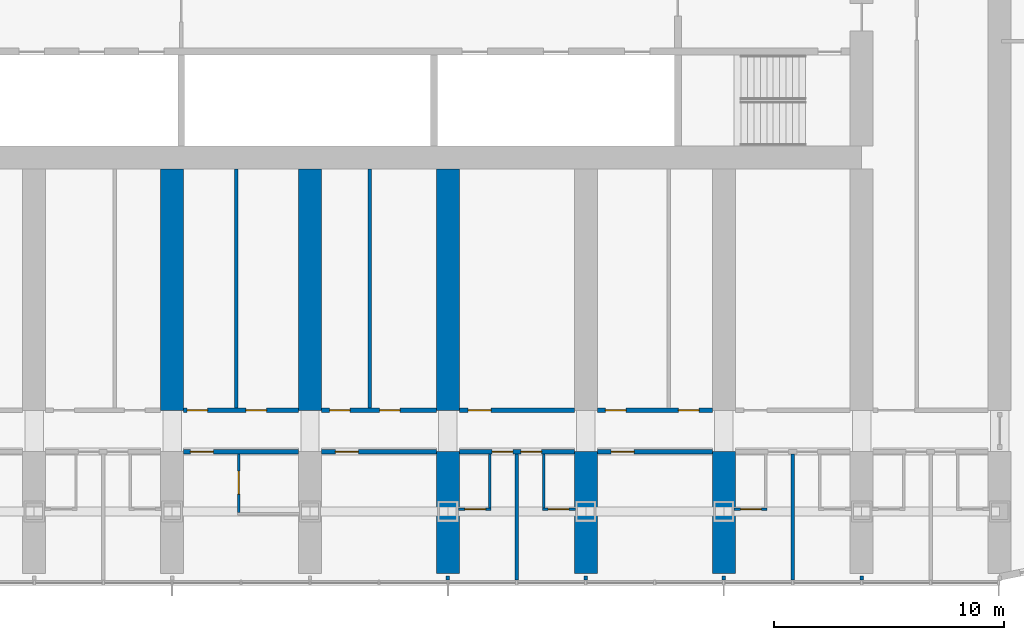
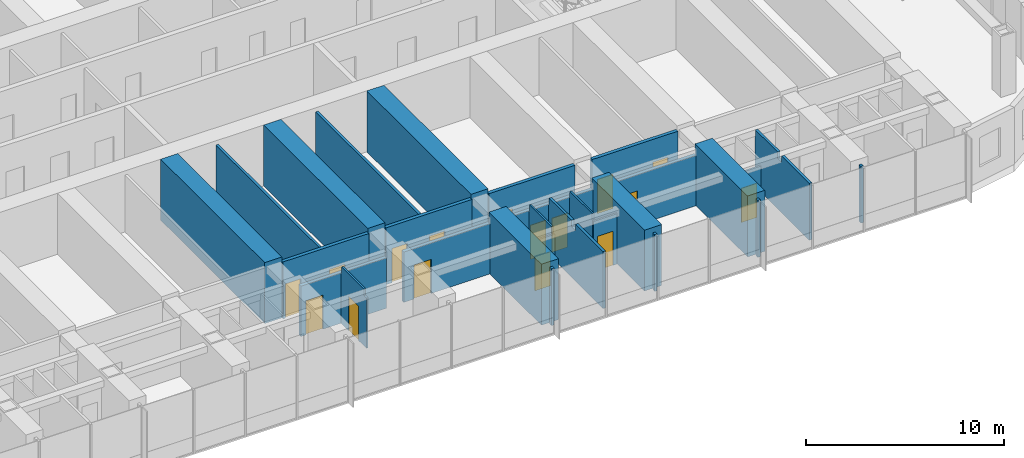
# One storey, part 14 of 28: 28 walls, 16 doors, 16 openings.
"""IFC4 building model written with IfcOpenShell, lengths in metres."""

from ifc_helpers import new_model, si_unit, direction, frame, frame_2d, origin, place, context, subcontext, project, spatial, polyline, rectangle, outline, extrude, material, layer, layer_set, type_object, element, fill, save


model = new_model("IFC4")

# Units and contexts
model_context = context("Model", 3, precision=1e-05, world=origin(), true_north=direction((0.0, 1.0)))
body_context = subcontext(model_context, "Body", "Model", "MODEL_VIEW")
ifc_project = project(units=[si_unit("LENGTHUNIT", "METRE"), si_unit("AREAUNIT", "SQUARE_METRE"), si_unit("VOLUMEUNIT", "CUBIC_METRE"), si_unit("PLANEANGLEUNIT", "RADIAN"), si_unit("MASSUNIT", "GRAM", prefix="KILO")], contexts=[model_context])

# Site, building, storey
site_placement = place(None, origin())
site = spatial("IfcSite", under=ifc_project, at=site_placement, CompositionType="ELEMENT")
building_placement = place(site_placement, origin())
building = spatial("IfcBuilding", under=site, at=building_placement, Name="Orbita Commons", CompositionType="ELEMENT")
storey_placement = place(building_placement, frame((0.0, 0.0, 23.949951171875)))
storey = spatial("IfcBuildingStorey", under=building, at=storey_placement, Name="L05", CompositionType="ELEMENT", Elevation=23.949951171875)

# Wall, opening, door
ifc_material_1 = material(Name="Concrete blockwork", Category="masonry")
ifc_layer_1 = layer(ifc_material_1, 0.199951171875)
ifc_layer_set_1 = layer_set([ifc_layer_1], Name="Concrete blockwork")
wall_type_1 = type_object("IfcWallType", Name="Corridor wall 200 blockwork", PredefinedType="SOLIDWALL", material=ifc_layer_set_1)
wall_1_placement = place(storey_placement, frame((36.5, 13.0, 0.0), z_axis=(0.0, 0.0, 1.0), x_axis=(1.0, 0.0, 0.0)))
wall_1 = element("IfcWall", 1, at=wall_1_placement, inside=storey, type_object=wall_type_1, Name="Corridor wall 200 blockwork L05", PredefinedType="SOLIDWALL", context=body_context, shape_type="SweptSolid", body=[
    extrude(outline(polyline([(0.0, 0.0), (5.0, 0.0), (5.0, 3.10009765625), (0.0, 3.10009765625), (0.0, 0.0)])), frame((0.0, 0.10009765625, 0.0), z_axis=(0.0, -1.0, 0.0), x_axis=(1.0, 0.0, 0.0)), (0.0, 0.0, 1.0), 0.199951171875),
])
opening_1_placement = place(wall_1_placement, frame((0.300048828125, 0.0, 0.0)))
opening_1 = element("IfcOpeningElement", 2, at=opening_1_placement, cuts=wall_1, Name="Opening D06", PredefinedType="OPENING", context=body_context, shape_type="SweptSolid", body=[
    extrude(rectangle(XDim=1.0, YDim=2.10009765625, at=frame_2d((0.5, 1.050048828125))), frame((0.0, 0.10986328125, 0.0), z_axis=(0.0, -1.0, 0.0), x_axis=(1.0, 0.0, 0.0)), (0.0, 0.0, 1.0), 0.219970703125),
])
ifc_material_2 = material(Name="Steel-faced fire door leaf", Category="steel")
door_type_1 = type_object("IfcDoorType", Name="Corridor door 20 min 1000x2100", OperationType="SINGLE_SWING_LEFT", PredefinedType="DOOR", material=ifc_material_2)
door_1_placement = place(opening_1_placement, origin())
door_1 = element("IfcDoor", 3, at=door_1_placement, inside=storey, type_object=door_type_1, Name="Accessible bedroom L05-S08 door", OperationType="SINGLE_SWING_LEFT", OverallHeight=2.10009765625, OverallWidth=1.0, PredefinedType="DOOR", context=body_context, shape_type="SweptSolid", body=[
    extrude(rectangle(XDim=1.0, YDim=2.10009765625, at=frame_2d((0.5, 1.050048828125))), frame((0.0, 0.02490234375, 0.0), z_axis=(0.0, -1.0, 0.0), x_axis=(1.0, 0.0, 0.0)), (0.0, 0.0, 1.0), 0.050048828125),
])
fill(opening_1, door_1)

wall_2_placement = place(storey_placement, frame((42.5, 13.0, 0.0), z_axis=(0.0, 0.0, 1.0), x_axis=(1.0, 0.0, 0.0)))
wall_2 = element("IfcWall", 4, at=wall_2_placement, inside=storey, type_object=wall_type_1, Name="Corridor wall 200 blockwork L05", PredefinedType="SOLIDWALL", context=body_context, shape_type="SweptSolid", body=[
    extrude(outline(polyline([(0.0, 0.0), (5.0, 0.0), (5.0, 3.10009765625), (0.0, 3.10009765625), (0.0, 0.0)])), frame((0.0, 0.10009765625, 0.0), z_axis=(0.0, -1.0, 0.0), x_axis=(1.0, 0.0, 0.0)), (0.0, 0.0, 1.0), 0.199951171875),
])
opening_2_placement = place(wall_2_placement, frame((0.60009765625, 0.0, 0.0)))
opening_2 = element("IfcOpeningElement", 5, at=opening_2_placement, cuts=wall_2, Name="Opening D06", PredefinedType="OPENING", context=body_context, shape_type="SweptSolid", body=[
    extrude(rectangle(XDim=1.0, YDim=2.10009765625, at=frame_2d((0.5, 1.050048828125))), frame((0.0, 0.10986328125, 0.0), z_axis=(0.0, -1.0, 0.0), x_axis=(1.0, 0.0, 0.0)), (0.0, 0.0, 1.0), 0.219970703125),
])
door_2_placement = place(opening_2_placement, origin())
door_2 = element("IfcDoor", 6, at=door_2_placement, inside=storey, type_object=door_type_1, Name="House kitchen-diner L05-S10 door", OperationType="SINGLE_SWING_LEFT", OverallHeight=2.10009765625, OverallWidth=1.0, PredefinedType="DOOR", context=body_context, shape_type="SweptSolid", body=[
    extrude(rectangle(XDim=1.0, YDim=2.10009765625, at=frame_2d((0.5, 1.050048828125))), frame((0.0, 0.02490234375, 0.0), z_axis=(0.0, -1.0, 0.0), x_axis=(1.0, 0.0, 0.0)), (0.0, 0.0, 1.0), 0.050048828125),
])
fill(opening_2, door_2)

# Wall, openings, doors
wall_3_placement = place(storey_placement, frame((48.5, 13.0, 0.0), z_axis=(0.0, 0.0, 1.0), x_axis=(1.0, 0.0, 0.0)))
wall_3 = element("IfcWall", 7, at=wall_3_placement, inside=storey, type_object=wall_type_1, Name="Corridor wall 200 blockwork L05", PredefinedType="SOLIDWALL", context=body_context, shape_type="SweptSolid", body=[
    extrude(outline(polyline([(0.0, 0.0), (5.0, 0.0), (5.0, 3.10009765625), (0.0, 3.10009765625), (0.0, 0.0)])), frame((0.0, 0.10009765625, 0.0), z_axis=(0.0, -1.0, 0.0), x_axis=(1.0, 0.0, 0.0)), (0.0, 0.0, 1.0), 0.199951171875),
])
opening_3_placement = place(wall_3_placement, frame((1.425048828125, 0.0, 0.0)))
opening_3 = element("IfcOpeningElement", 8, at=opening_3_placement, cuts=wall_3, Name="Opening D11", PredefinedType="OPENING", context=body_context, shape_type="SweptSolid", body=[
    extrude(rectangle(XDim=0.89990234375, YDim=2.10009765625, at=frame_2d((0.449951171875, 1.050048828125))), frame((0.0, 0.10986328125, 0.0), z_axis=(0.0, -1.0, 0.0), x_axis=(1.0, 0.0, 0.0)), (0.0, 0.0, 1.0), 0.219970703125),
])
opening_4_placement = place(wall_3_placement, frame((2.675048828125, 0.0, 0.0)))
opening_4 = element("IfcOpeningElement", 9, at=opening_4_placement, cuts=wall_3, Name="Opening D11", PredefinedType="OPENING", context=body_context, shape_type="SweptSolid", body=[
    extrude(rectangle(XDim=0.89990234375, YDim=2.10009765625, at=frame_2d((0.449951171875, 1.050048828125))), frame((0.0, 0.10986328125, 0.0), z_axis=(0.0, -1.0, 0.0), x_axis=(1.0, 0.0, 0.0)), (0.0, 0.0, 1.0), 0.219970703125),
])
ifc_material_3 = material(Name="Steel-faced fire door leaf", Category="steel")
door_type_2 = type_object("IfcDoorType", Name="Corridor door 20 min 900x2100", OperationType="SINGLE_SWING_LEFT", PredefinedType="DOOR", material=ifc_material_3)
door_3_placement = place(opening_3_placement, origin())
door_3 = element("IfcDoor", 10, at=door_3_placement, inside=storey, type_object=door_type_2, Name="House bedroom L05-S12 door", OperationType="SINGLE_SWING_LEFT", OverallHeight=2.10009765625, OverallWidth=0.89990234375, PredefinedType="DOOR", context=body_context, shape_type="SweptSolid", body=[
    extrude(rectangle(XDim=0.89990234375, YDim=2.10009765625, at=frame_2d((0.449951171875, 1.050048828125))), frame((0.0, 0.02490234375, 0.0), z_axis=(0.0, -1.0, 0.0), x_axis=(1.0, 0.0, 0.0)), (0.0, 0.0, 1.0), 0.050048828125),
])
fill(opening_3, door_3)
door_4_placement = place(opening_4_placement, origin())
door_4 = element("IfcDoor", 11, at=door_4_placement, inside=storey, type_object=door_type_2, Name="House bedroom L05-S13 door", OperationType="SINGLE_SWING_LEFT", OverallHeight=2.10009765625, OverallWidth=0.89990234375, PredefinedType="DOOR", context=body_context, shape_type="SweptSolid", body=[
    extrude(rectangle(XDim=0.89990234375, YDim=2.10009765625, at=frame_2d((0.449951171875, 1.050048828125))), frame((0.0, 0.02490234375, 0.0), z_axis=(0.0, -1.0, 0.0), x_axis=(1.0, 0.0, 0.0)), (0.0, 0.0, 1.0), 0.050048828125),
])
fill(opening_4, door_4)

# Wall, opening, door
wall_4_placement = place(storey_placement, frame((54.5, 13.0, 0.0), z_axis=(0.0, 0.0, 1.0), x_axis=(1.0, 0.0, 0.0)))
wall_4 = element("IfcWall", 12, at=wall_4_placement, inside=storey, type_object=wall_type_1, Name="Corridor wall 200 blockwork L05", PredefinedType="SOLIDWALL", context=body_context, shape_type="SweptSolid", body=[
    extrude(outline(polyline([(0.0, 0.0), (5.0, 0.0), (5.0, 3.10009765625), (0.0, 3.10009765625), (0.0, 0.0)])), frame((0.0, 0.10009765625, 0.0), z_axis=(0.0, -1.0, 0.0), x_axis=(1.0, 0.0, 0.0)), (0.0, 0.0, 1.0), 0.199951171875),
])
opening_5_placement = place(wall_4_placement, frame((0.60009765625, 0.0, 0.0)))
opening_5 = element("IfcOpeningElement", 13, at=opening_5_placement, cuts=wall_4, Name="Opening D06", PredefinedType="OPENING", context=body_context, shape_type="SweptSolid", body=[
    extrude(rectangle(XDim=1.0, YDim=2.10009765625, at=frame_2d((0.5, 1.050048828125))), frame((0.0, 0.10986328125, 0.0), z_axis=(0.0, -1.0, 0.0), x_axis=(1.0, 0.0, 0.0)), (0.0, 0.0, 1.0), 0.219970703125),
])
door_5_placement = place(opening_5_placement, origin())
door_5 = element("IfcDoor", 14, at=door_5_placement, inside=storey, type_object=door_type_1, Name="House study room L05-S14 door", OperationType="SINGLE_SWING_LEFT", OverallHeight=2.10009765625, OverallWidth=1.0, PredefinedType="DOOR", context=body_context, shape_type="SweptSolid", body=[
    extrude(rectangle(XDim=1.0, YDim=2.10009765625, at=frame_2d((0.5, 1.050048828125))), frame((0.0, 0.02490234375, 0.0), z_axis=(0.0, -1.0, 0.0), x_axis=(1.0, 0.0, 0.0)), (0.0, 0.0, 1.0), 0.050048828125),
])
fill(opening_5, door_5)

# Wall, openings, doors
ifc_material_4 = material(Name="Hollow concrete block 200", Category="concrete")
ifc_layer_2 = layer(ifc_material_4, 0.199951171875)
ifc_layer_set_2 = layer_set([ifc_layer_2], Name="Hollow concrete block 200")
wall_type_2 = type_object("IfcWallType", Name="Corridor wall 200 hollow concrete block", PredefinedType="SOLIDWALL", material=ifc_layer_set_2)
wall_5_placement = place(storey_placement, frame((36.5, 14.800048828125, 0.0), z_axis=(0.0, 0.0, 1.0), x_axis=(1.0, 0.0, 0.0)))
wall_5 = element("IfcWall", 15, at=wall_5_placement, inside=storey, type_object=wall_type_2, Name="Corridor wall 200 hollow concrete block L05", PredefinedType="SOLIDWALL", context=body_context, shape_type="SweptSolid", body=[
    extrude(rectangle(XDim=5.0, YDim=0.199951171875, at=frame_2d((2.5, 0.0))), origin(), (0.0, 0.0, 1.0), 3.5),
])
opening_6_placement = place(wall_5_placement, frame((0.14990234375, 0.0, 0.0)))
opening_6 = element("IfcOpeningElement", 16, at=opening_6_placement, cuts=wall_5, Name="Opening D11", PredefinedType="OPENING", context=body_context, shape_type="SweptSolid", body=[
    extrude(rectangle(XDim=0.89990234375, YDim=2.10009765625, at=frame_2d((0.449951171875, 1.050048828125))), frame((0.0, 0.10986328125, 0.0), z_axis=(0.0, -1.0, 0.0), x_axis=(1.0, 0.0, 0.0)), (0.0, 0.0, 1.0), 0.219970703125),
])
opening_7_placement = place(wall_5_placement, frame((2.715087890625, 0.0, 0.0)))
opening_7 = element("IfcOpeningElement", 17, at=opening_7_placement, cuts=wall_5, Name="Opening D11", PredefinedType="OPENING", context=body_context, shape_type="SweptSolid", body=[
    extrude(rectangle(XDim=0.89990234375, YDim=2.10009765625, at=frame_2d((0.449951171875, 1.050048828125))), frame((0.0, 0.10986328125, 0.0), z_axis=(0.0, -1.0, 0.0), x_axis=(1.0, 0.0, 0.0)), (0.0, 0.0, 1.0), 0.219970703125),
])
door_6_placement = place(opening_6_placement, origin())
door_6 = element("IfcDoor", 18, at=door_6_placement, inside=storey, type_object=door_type_2, Name="Music practice room L05-BDS36 door", OperationType="SINGLE_SWING_LEFT", OverallHeight=2.10009765625, OverallWidth=0.89990234375, PredefinedType="DOOR", context=body_context, shape_type="SweptSolid", body=[
    extrude(rectangle(XDim=0.89990234375, YDim=2.10009765625, at=frame_2d((0.449951171875, 1.050048828125))), frame((0.0, 0.02490234375, 0.0), z_axis=(0.0, -1.0, 0.0), x_axis=(1.0, 0.0, 0.0)), (0.0, 0.0, 1.0), 0.050048828125),
])
fill(opening_6, door_6)
door_7_placement = place(opening_7_placement, origin())
door_7 = element("IfcDoor", 19, at=door_7_placement, inside=storey, type_object=door_type_2, Name="Equipment store L05-BDS36n door", OperationType="SINGLE_SWING_LEFT", OverallHeight=2.10009765625, OverallWidth=0.89990234375, PredefinedType="DOOR", context=body_context, shape_type="SweptSolid", body=[
    extrude(rectangle(XDim=0.89990234375, YDim=2.10009765625, at=frame_2d((0.449951171875, 1.050048828125))), frame((0.0, 0.02490234375, 0.0), z_axis=(0.0, -1.0, 0.0), x_axis=(1.0, 0.0, 0.0)), (0.0, 0.0, 1.0), 0.050048828125),
])
fill(opening_7, door_7)

wall_6_placement = place(storey_placement, frame((42.5, 14.800048828125, 0.0), z_axis=(0.0, 0.0, 1.0), x_axis=(1.0, 0.0, 0.0)))
wall_6 = element("IfcWall", 20, at=wall_6_placement, inside=storey, type_object=wall_type_2, Name="Corridor wall 200 hollow concrete block L05", PredefinedType="SOLIDWALL", context=body_context, shape_type="SweptSolid", body=[
    extrude(rectangle(XDim=5.0, YDim=0.199951171875, at=frame_2d((2.5, 0.0))), origin(), (0.0, 0.0, 1.0), 3.5),
])
opening_8_placement = place(wall_6_placement, frame((0.35009765625, 0.0, 0.0)))
opening_8 = element("IfcOpeningElement", 21, at=opening_8_placement, cuts=wall_6, Name="Opening D11", PredefinedType="OPENING", context=body_context, shape_type="SweptSolid", body=[
    extrude(rectangle(XDim=0.89990234375, YDim=2.10009765625, at=frame_2d((0.449951171875, 1.050048828125))), frame((0.0, 0.10986328125, 0.0), z_axis=(0.0, -1.0, 0.0), x_axis=(1.0, 0.0, 0.0)), (0.0, 0.0, 1.0), 0.219970703125),
])
opening_9_placement = place(wall_6_placement, frame((2.52490234375, 0.0, 0.0)))
opening_9 = element("IfcOpeningElement", 22, at=opening_9_placement, cuts=wall_6, Name="Opening D11", PredefinedType="OPENING", context=body_context, shape_type="SweptSolid", body=[
    extrude(rectangle(XDim=0.89990234375, YDim=2.10009765625, at=frame_2d((0.449951171875, 1.050048828125))), frame((0.0, 0.10986328125, 0.0), z_axis=(0.0, -1.0, 0.0), x_axis=(1.0, 0.0, 0.0)), (0.0, 0.0, 1.0), 0.219970703125),
])
door_8_placement = place(opening_8_placement, origin())
door_8 = element("IfcDoor", 23, at=door_8_placement, inside=storey, type_object=door_type_2, Name="Battery and UPS room L05-BDS42n door", OperationType="SINGLE_SWING_LEFT", OverallHeight=2.10009765625, OverallWidth=0.89990234375, PredefinedType="DOOR", context=body_context, shape_type="SweptSolid", body=[
    extrude(rectangle(XDim=0.89990234375, YDim=2.10009765625, at=frame_2d((0.449951171875, 1.050048828125))), frame((0.0, 0.02490234375, 0.0), z_axis=(0.0, -1.0, 0.0), x_axis=(1.0, 0.0, 0.0)), (0.0, 0.0, 1.0), 0.050048828125),
])
fill(opening_8, door_8)
door_9_placement = place(opening_9_placement, origin())
door_9 = element("IfcDoor", 24, at=door_9_placement, inside=storey, type_object=door_type_2, Name="Refuse and recycling room L05-BDS42 door", OperationType="SINGLE_SWING_LEFT", OverallHeight=2.10009765625, OverallWidth=0.89990234375, PredefinedType="DOOR", context=body_context, shape_type="SweptSolid", body=[
    extrude(rectangle(XDim=0.89990234375, YDim=2.10009765625, at=frame_2d((0.449951171875, 1.050048828125))), frame((0.0, 0.02490234375, 0.0), z_axis=(0.0, -1.0, 0.0), x_axis=(1.0, 0.0, 0.0)), (0.0, 0.0, 1.0), 0.050048828125),
])
fill(opening_9, door_9)

# Wall, opening, door
wall_7_placement = place(storey_placement, frame((48.5, 14.800048828125, 0.0), z_axis=(0.0, 0.0, 1.0), x_axis=(1.0, 0.0, 0.0)))
wall_7 = element("IfcWall", 25, at=wall_7_placement, inside=storey, type_object=wall_type_2, Name="Corridor wall 200 hollow concrete block L05", PredefinedType="SOLIDWALL", context=body_context, shape_type="SweptSolid", body=[
    extrude(rectangle(XDim=5.0, YDim=0.199951171875, at=frame_2d((2.5, 0.0))), origin(), (0.0, 0.0, 1.0), 3.5),
])
opening_10_placement = place(wall_7_placement, frame((0.375, 0.0, 0.0)))
opening_10 = element("IfcOpeningElement", 26, at=opening_10_placement, cuts=wall_7, Name="Opening D06", PredefinedType="OPENING", context=body_context, shape_type="SweptSolid", body=[
    extrude(rectangle(XDim=1.0, YDim=2.10009765625, at=frame_2d((0.5, 1.050048828125))), frame((0.0, 0.10986328125, 0.0), z_axis=(0.0, -1.0, 0.0), x_axis=(1.0, 0.0, 0.0)), (0.0, 0.0, 1.0), 0.219970703125),
])
door_10_placement = place(opening_10_placement, origin())
door_10 = element("IfcDoor", 27, at=door_10_placement, inside=storey, type_object=door_type_1, Name="Linen store L05-BDS48 door", OperationType="SINGLE_SWING_LEFT", OverallHeight=2.10009765625, OverallWidth=1.0, PredefinedType="DOOR", context=body_context, shape_type="SweptSolid", body=[
    extrude(rectangle(XDim=1.0, YDim=2.10009765625, at=frame_2d((0.5, 1.050048828125))), frame((0.0, 0.02490234375, 0.0), z_axis=(0.0, -1.0, 0.0), x_axis=(1.0, 0.0, 0.0)), (0.0, 0.0, 1.0), 0.050048828125),
])
fill(opening_10, door_10)

# Wall, openings, doors
wall_8_placement = place(storey_placement, frame((54.5, 14.800048828125, 0.0), z_axis=(0.0, 0.0, 1.0), x_axis=(1.0, 0.0, 0.0)))
wall_8 = element("IfcWall", 28, at=wall_8_placement, inside=storey, type_object=wall_type_2, Name="Corridor wall 200 hollow concrete block L05", PredefinedType="SOLIDWALL", context=body_context, shape_type="SweptSolid", body=[
    extrude(rectangle(XDim=5.0, YDim=0.199951171875, at=frame_2d((2.5, 0.0))), origin(), (0.0, 0.0, 1.0), 3.5),
])
opening_11_placement = place(wall_8_placement, frame((0.35009765625, 0.0, 0.0)))
opening_11 = element("IfcOpeningElement", 29, at=opening_11_placement, cuts=wall_8, Name="Opening D11", PredefinedType="OPENING", context=body_context, shape_type="SweptSolid", body=[
    extrude(rectangle(XDim=0.89990234375, YDim=2.10009765625, at=frame_2d((0.449951171875, 1.050048828125))), frame((0.0, 0.10986328125, 0.0), z_axis=(0.0, -1.0, 0.0), x_axis=(1.0, 0.0, 0.0)), (0.0, 0.0, 1.0), 0.219970703125),
])
opening_12_placement = place(wall_8_placement, frame((3.52490234375, 0.0, 0.0)))
opening_12 = element("IfcOpeningElement", 30, at=opening_12_placement, cuts=wall_8, Name="Opening D11", PredefinedType="OPENING", context=body_context, shape_type="SweptSolid", body=[
    extrude(rectangle(XDim=0.89990234375, YDim=2.10009765625, at=frame_2d((0.449951171875, 1.050048828125))), frame((0.0, 0.10986328125, 0.0), z_axis=(0.0, -1.0, 0.0), x_axis=(1.0, 0.0, 0.0)), (0.0, 0.0, 1.0), 0.219970703125),
])
door_11_placement = place(opening_11_placement, origin())
door_11 = element("IfcDoor", 31, at=door_11_placement, inside=storey, type_object=door_type_2, Name="Sprinkler valve room L05-BDS54n door", OperationType="SINGLE_SWING_LEFT", OverallHeight=2.10009765625, OverallWidth=0.89990234375, PredefinedType="DOOR", context=body_context, shape_type="SweptSolid", body=[
    extrude(rectangle(XDim=0.89990234375, YDim=2.10009765625, at=frame_2d((0.449951171875, 1.050048828125))), frame((0.0, 0.02490234375, 0.0), z_axis=(0.0, -1.0, 0.0), x_axis=(1.0, 0.0, 0.0)), (0.0, 0.0, 1.0), 0.050048828125),
])
fill(opening_11, door_11)
door_12_placement = place(opening_12_placement, origin())
door_12 = element("IfcDoor", 32, at=door_12_placement, inside=storey, type_object=door_type_2, Name="Cleaners store L05-BDS54 door", OperationType="SINGLE_SWING_LEFT", OverallHeight=2.10009765625, OverallWidth=0.89990234375, PredefinedType="DOOR", context=body_context, shape_type="SweptSolid", body=[
    extrude(rectangle(XDim=0.89990234375, YDim=2.10009765625, at=frame_2d((0.449951171875, 1.050048828125))), frame((0.0, 0.02490234375, 0.0), z_axis=(0.0, -1.0, 0.0), x_axis=(1.0, 0.0, 0.0)), (0.0, 0.0, 1.0), 0.050048828125),
])
fill(opening_12, door_12)

# Walls
ifc_material_5 = material(Name="Concrete C50/60", Category="concrete")
ifc_layer_3 = layer(ifc_material_5, 1.0)
ifc_layer_set_3 = layer_set([ifc_layer_3], Name="Concrete C50/60")
wall_type_3 = type_object("IfcWallType", Name="Cross wall 1000 C50/60", PredefinedType="SHEAR", material=ifc_layer_set_3)
for number, where, z_axis, x_axis, name in (
    (33, (36.0, 14.800048828125, 0.0), (0.0, 0.0, 1.0), (0.0, 1.0, 0.0), "Cross wall 7 south inner L05"),
    (34, (42.0, 14.800048828125, 0.0), (0.0, 0.0, 1.0), (0.0, 1.0, 0.0), "Cross wall 8 south inner L05"),
):
    element("IfcWall", number, at=place(storey_placement, frame(where, z_axis=z_axis, x_axis=x_axis)), inside=storey, type_object=wall_type_3, Name=name, PredefinedType="SHEAR", context=body_context, shape_type="SweptSolid", body=[
        extrude(rectangle(XDim=10.5, YDim=1.0, at=frame_2d((5.25, 0.0))), origin(), (0.0, 0.0, 1.0), 3.75),
    ])
wall_9_placement = place(storey_placement, frame((48.0, 7.699951171875, 0.0), z_axis=(0.0, 0.0, 1.0), x_axis=(0.0, 1.0, 0.0)))
element("IfcWall", 35, at=wall_9_placement, inside=storey, type_object=wall_type_3, Name="Cross wall 9 south outer L05", PredefinedType="SHEAR", context=body_context, shape_type="SweptSolid", body=[
    extrude(rectangle(XDim=5.300048828125, YDim=1.0, at=frame_2d((2.64990234375, 0.0))), origin(), (0.0, 0.0, 1.0), 3.75),
])
wall_10_placement = place(storey_placement, frame((48.0, 14.800048828125, 0.0), z_axis=(0.0, 0.0, 1.0), x_axis=(0.0, 1.0, 0.0)))
element("IfcWall", 36, at=wall_10_placement, inside=storey, type_object=wall_type_3, Name="Cross wall 9 south inner L05", PredefinedType="SHEAR", context=body_context, shape_type="SweptSolid", body=[
    extrude(rectangle(XDim=10.5, YDim=1.0, at=frame_2d((5.25, 0.0))), origin(), (0.0, 0.0, 1.0), 3.75),
])
for number, where, z_axis, x_axis, name in (
    (37, (54.0, 7.699951171875, 0.0), (0.0, 0.0, 1.0), (0.0, 1.0, 0.0), "Cross wall 10 south outer L05"),
    (38, (60.0, 7.699951171875, 0.0), (0.0, 0.0, 1.0), (0.0, 1.0, 0.0), "Cross wall 11 south outer L05"),
):
    element("IfcWall", number, at=place(storey_placement, frame(where, z_axis=z_axis, x_axis=x_axis)), inside=storey, type_object=wall_type_3, Name=name, PredefinedType="SHEAR", context=body_context, shape_type="SweptSolid", body=[
        extrude(rectangle(XDim=5.300048828125, YDim=1.0, at=frame_2d((2.64990234375, 0.0))), origin(), (0.0, 0.0, 1.0), 3.75),
    ])

# Wall, opening, door
ifc_material_6 = material(Name="Moisture-resistant plasterboard on steel studs", Category="steel")
ifc_layer_4 = layer(ifc_material_6, 0.10009765625)
ifc_layer_set_4 = layer_set([ifc_layer_4], Name="Moisture-resistant plasterboard on steel studs")
wall_type_4 = type_object("IfcWallType", Name="En-suite partition 100", PredefinedType="PARTITIONING", material=ifc_layer_set_4)
wall_11_placement = place(storey_placement, frame((38.89990234375, 10.35009765625, 0.0), z_axis=(0.0, 0.0, 1.0), x_axis=(0.0, 1.0, 0.0)))
wall_11 = element("IfcWall", 39, at=wall_11_placement, inside=storey, type_object=wall_type_4, Name="En-suite partition 100 L05", PredefinedType="PARTITIONING", context=body_context, shape_type="SweptSolid", body=[
    extrude(outline(polyline([(0.0, 0.0), (2.5498046875, 0.0), (2.550048828125, 3.10009765625), (2.501953125, 3.10009765625), (2.5, 3.5), (0.251953125, 3.5), (0.25, 3.10009765625), (0.0, 3.10009765625), (0.0, 0.0)])), frame((0.0, 0.050048828125, 0.0), z_axis=(0.0, -1.0, 0.0), x_axis=(1.0, 0.0, 0.0)), (0.0, 0.0, 1.0), 0.10009765625),
])
opening_13_placement = place(wall_11_placement, frame((0.800048828125, 0.0, 0.0)))
opening_13 = element("IfcOpeningElement", 40, at=opening_13_placement, cuts=wall_11, Name="Opening D13", PredefinedType="OPENING", context=body_context, shape_type="SweptSolid", body=[
    extrude(rectangle(XDim=1.0, YDim=2.10009765625, at=frame_2d((0.5, 1.050048828125))), frame((0.0, 0.06005859375, 0.0), z_axis=(0.0, -1.0, 0.0), x_axis=(1.0, 0.0, 0.0)), (0.0, 0.0, 1.0), 0.1201171875),
])
ifc_material_7 = material(Name="Laminated timber door leaf", Category="wood")
door_type_3 = type_object("IfcDoorType", Name="En-suite door 1000x2100", OperationType="SINGLE_SWING_RIGHT", PredefinedType="DOOR", material=ifc_material_7)
door_13_placement = place(opening_13_placement, origin())
door_13 = element("IfcDoor", 41, at=door_13_placement, inside=storey, type_object=door_type_3, Name="Accessible shower room L05-S08 door", OperationType="SINGLE_SWING_RIGHT", OverallHeight=2.10009765625, OverallWidth=1.0, PredefinedType="DOOR", context=body_context, shape_type="SweptSolid", body=[
    extrude(rectangle(XDim=1.0, YDim=2.10009765625, at=frame_2d((0.5, 1.050048828125))), frame((0.0, 0.02490234375, 0.0), z_axis=(0.0, -1.0, 0.0), x_axis=(1.0, 0.0, 0.0)), (0.0, 0.0, 1.0), 0.050048828125),
])
fill(opening_13, door_13)

wall_12_placement = place(storey_placement, frame((49.875, 10.5, 0.0), z_axis=(0.0, 0.0, 1.0), x_axis=(-1.0, 0.0, 0.0)))
wall_12 = element("IfcWall", 42, at=wall_12_placement, inside=storey, type_object=wall_type_4, Name="En-suite partition 100 L05", PredefinedType="PARTITIONING", context=body_context, shape_type="SweptSolid", body=[
    extrude(outline(polyline([(0.0, 0.0), (1.425048828125, 0.0), (1.425048828125, 3.10009765625), (0.0, 3.10009765625), (0.0, 0.0)])), frame((0.0, 0.050048828125, 0.0), z_axis=(0.0, -1.0, 0.0), x_axis=(1.0, 0.0, 0.0)), (0.0, 0.0, 1.0), 0.10009765625),
])
opening_14_placement = place(wall_12_placement, frame((0.237548828125, 0.0, 0.0)))
opening_14 = element("IfcOpeningElement", 43, at=opening_14_placement, cuts=wall_12, Name="Opening D09", PredefinedType="OPENING", context=body_context, shape_type="SweptSolid", body=[
    extrude(rectangle(XDim=0.89990234375, YDim=2.10009765625, at=frame_2d((0.449951171875, 1.050048828125))), frame((0.0, 0.06005859375, 0.0), z_axis=(0.0, -1.0, 0.0), x_axis=(1.0, 0.0, 0.0)), (0.0, 0.0, 1.0), 0.1201171875),
])
ifc_material_8 = material(Name="Laminated timber door leaf", Category="wood")
door_type_4 = type_object("IfcDoorType", Name="En-suite door 900x2100", OperationType="SINGLE_SWING_RIGHT", PredefinedType="DOOR", material=ifc_material_8)
door_14_placement = place(opening_14_placement, origin())
door_14 = element("IfcDoor", 44, at=door_14_placement, inside=storey, type_object=door_type_4, Name="En-suite L05-S12 door", OperationType="SINGLE_SWING_RIGHT", OverallHeight=2.10009765625, OverallWidth=0.89990234375, PredefinedType="DOOR", context=body_context, shape_type="SweptSolid", body=[
    extrude(rectangle(XDim=0.89990234375, YDim=2.10009765625, at=frame_2d((0.449951171875, 1.050048828125))), frame((0.0, 0.02490234375, 0.0), z_axis=(0.0, -1.0, 0.0), x_axis=(1.0, 0.0, 0.0)), (0.0, 0.0, 1.0), 0.050048828125),
])
fill(opening_14, door_14)

# Wall
wall_13_placement = place(storey_placement, frame((49.824951171875, 10.550048828125, 0.0), z_axis=(0.0, 0.0, 1.0), x_axis=(0.0, 1.0, 0.0)))
element("IfcWall", 45, at=wall_13_placement, inside=storey, type_object=wall_type_4, Name="En-suite partition 100 L05", PredefinedType="PARTITIONING", context=body_context, shape_type="SweptSolid", body=[
    extrude(outline(polyline([(0.0, 0.0), (2.349853515625, 0.0), (2.35009765625, 3.10009765625), (2.302001953125, 3.10009765625), (2.300048828125, 3.5), (0.052001953125, 3.5), (0.050048828125, 3.10009765625), (0.0, 3.10009765625), (0.0, 0.0)])), frame((0.0, 0.050048828125, 0.0), z_axis=(0.0, -1.0, 0.0), x_axis=(1.0, 0.0, 0.0)), (0.0, 0.0, 1.0), 0.10009765625),
])

# Wall, opening, door
wall_14_placement = place(storey_placement, frame((53.550048828125, 10.5, 0.0), z_axis=(0.0, 0.0, 1.0), x_axis=(-1.0, 0.0, 0.0)))
wall_14 = element("IfcWall", 46, at=wall_14_placement, inside=storey, type_object=wall_type_4, Name="En-suite partition 100 L05", PredefinedType="PARTITIONING", context=body_context, shape_type="SweptSolid", body=[
    extrude(outline(polyline([(0.0, 0.0), (1.425048828125, 0.0), (1.425048828125, 3.10009765625), (0.0, 3.10009765625), (0.0, 0.0)])), frame((0.0, 0.050048828125, 0.0), z_axis=(0.0, -1.0, 0.0), x_axis=(1.0, 0.0, 0.0)), (0.0, 0.0, 1.0), 0.10009765625),
])
opening_15_placement = place(wall_14_placement, frame((0.28759765625, 0.0, 0.0)))
opening_15 = element("IfcOpeningElement", 47, at=opening_15_placement, cuts=wall_14, Name="Opening D09", PredefinedType="OPENING", context=body_context, shape_type="SweptSolid", body=[
    extrude(rectangle(XDim=0.89990234375, YDim=2.10009765625, at=frame_2d((0.449951171875, 1.050048828125))), frame((0.0, 0.06005859375, 0.0), z_axis=(0.0, -1.0, 0.0), x_axis=(1.0, 0.0, 0.0)), (0.0, 0.0, 1.0), 0.1201171875),
])
door_15_placement = place(opening_15_placement, origin())
door_15 = element("IfcDoor", 48, at=door_15_placement, inside=storey, type_object=door_type_4, Name="En-suite L05-S13 door", OperationType="SINGLE_SWING_RIGHT", OverallHeight=2.10009765625, OverallWidth=0.89990234375, PredefinedType="DOOR", context=body_context, shape_type="SweptSolid", body=[
    extrude(rectangle(XDim=0.89990234375, YDim=2.10009765625, at=frame_2d((0.449951171875, 1.050048828125))), frame((0.0, 0.02490234375, 0.0), z_axis=(0.0, -1.0, 0.0), x_axis=(1.0, 0.0, 0.0)), (0.0, 0.0, 1.0), 0.050048828125),
])
fill(opening_15, door_15)

# Wall
wall_15_placement = place(storey_placement, frame((52.175048828125, 10.550048828125, 0.0), z_axis=(0.0, 0.0, 1.0), x_axis=(0.0, 1.0, 0.0)))
element("IfcWall", 49, at=wall_15_placement, inside=storey, type_object=wall_type_4, Name="En-suite partition 100 L05", PredefinedType="PARTITIONING", context=body_context, shape_type="SweptSolid", body=[
    extrude(outline(polyline([(0.0, 0.0), (2.349853515625, 0.0), (2.35009765625, 3.10009765625), (2.302001953125, 3.10009765625), (2.300048828125, 3.5), (0.052001953125, 3.5), (0.050048828125, 3.10009765625), (0.0, 3.10009765625), (0.0, 0.0)])), frame((0.0, 0.050048828125, 0.0), z_axis=(0.0, -1.0, 0.0), x_axis=(1.0, 0.0, 0.0)), (0.0, 0.0, 1.0), 0.10009765625),
])

# Wall, opening, door
wall_16_placement = place(storey_placement, frame((61.875, 10.5, 0.0), z_axis=(0.0, 0.0, 1.0), x_axis=(-1.0, 0.0, 0.0)))
wall_16 = element("IfcWall", 50, at=wall_16_placement, inside=storey, type_object=wall_type_4, Name="En-suite partition 100 L05", PredefinedType="PARTITIONING", context=body_context, shape_type="SweptSolid", body=[
    extrude(outline(polyline([(0.0, 0.0), (1.425048828125, 0.0), (1.425048828125, 3.10009765625), (0.0, 3.10009765625), (0.0, 0.0)])), frame((0.0, 0.050048828125, 0.0), z_axis=(0.0, -1.0, 0.0), x_axis=(1.0, 0.0, 0.0)), (0.0, 0.0, 1.0), 0.10009765625),
])
opening_16_placement = place(wall_16_placement, frame((0.237548828125, 0.0, 0.0)))
opening_16 = element("IfcOpeningElement", 51, at=opening_16_placement, cuts=wall_16, Name="Opening D09", PredefinedType="OPENING", context=body_context, shape_type="SweptSolid", body=[
    extrude(rectangle(XDim=0.89990234375, YDim=2.10009765625, at=frame_2d((0.449951171875, 1.050048828125))), frame((0.0, 0.06005859375, 0.0), z_axis=(0.0, -1.0, 0.0), x_axis=(1.0, 0.0, 0.0)), (0.0, 0.0, 1.0), 0.1201171875),
])
door_16_placement = place(opening_16_placement, origin())
door_16 = element("IfcDoor", 52, at=door_16_placement, inside=storey, type_object=door_type_4, Name="En-suite L05-S16 door", OperationType="SINGLE_SWING_RIGHT", OverallHeight=2.10009765625, OverallWidth=0.89990234375, PredefinedType="DOOR", context=body_context, shape_type="SweptSolid", body=[
    extrude(rectangle(XDim=0.89990234375, YDim=2.10009765625, at=frame_2d((0.449951171875, 1.050048828125))), frame((0.0, 0.02490234375, 0.0), z_axis=(0.0, -1.0, 0.0), x_axis=(1.0, 0.0, 0.0)), (0.0, 0.0, 1.0), 0.050048828125),
])
fill(opening_16, door_16)

# Walls
ifc_material_9 = material(Name="Gypsum plasterboard on steel studs", Category="steel")
ifc_layer_5 = layer(ifc_material_9, 0.14990234375)
ifc_layer_set_5 = layer_set([ifc_layer_5], Name="Gypsum plasterboard on steel studs")
wall_type_5 = type_object("IfcWallType", Name="Partition 150 plasterboard", PredefinedType="PARTITIONING", material=ifc_layer_set_5)
for number, where, z_axis, x_axis, name in (
    (53, (38.7900390625, 14.89990234375, 0.0), (0.0, 0.0, 1.0), (0.0, 1.0, 0.0), "Partition 150 plasterboard L05"),
    (54, (44.60009765625, 14.89990234375, 0.0), (0.0, 0.0, 1.0), (0.0, 1.0, 0.0), "Partition 150 plasterboard L05"),
):
    element("IfcWall", number, at=place(storey_placement, frame(where, z_axis=z_axis, x_axis=x_axis)), inside=storey, type_object=wall_type_5, Name=name, PredefinedType="PARTITIONING", context=body_context, shape_type="SweptSolid", body=[
        extrude(rectangle(XDim=10.400146484375, YDim=0.14990234375, at=frame_2d((5.2001953125, 0.0))), origin(), (0.0, 0.0, 1.0), 3.5),
    ])
for number, where, z_axis, x_axis, name in (
    (55, (48.0, 7.60009765625, 0.0), (0.0, 0.0, 1.0), (0.0, -1.0, 0.0), "Partition 150 plasterboard L05"),
    (56, (54.0, 7.60009765625, 0.0), (0.0, 0.0, 1.0), (0.0, -1.0, 0.0), "Partition 150 plasterboard L05"),
    (57, (60.0, 7.60009765625, 0.0), (0.0, 0.0, 1.0), (0.0, -1.0, 0.0), "Partition 150 plasterboard L05"),
    (58, (66.0, 7.60009765625, 0.0), (0.0, 0.0, 1.0), (0.0, -1.0, 0.0), "Partition 150 plasterboard L05"),
):
    element("IfcWall", number, at=place(storey_placement, frame(where, z_axis=z_axis, x_axis=x_axis)), inside=storey, type_object=wall_type_5, Name=name, PredefinedType="PARTITIONING", context=body_context, shape_type="SweptSolid", body=[
        extrude(rectangle(XDim=0.190185546875, YDim=0.14990234375, at=frame_2d((0.09521484375, 0.0))), origin(), (0.0, 0.0, 1.0), 3.5),
    ])
ifc_material_10 = material(Name="Gypsum plasterboard on steel studs", Category="steel")
ifc_layer_6 = layer(ifc_material_10, 0.14990234375)
ifc_layer_set_6 = layer_set([ifc_layer_6], Name="Gypsum plasterboard on steel studs")
wall_type_6 = type_object("IfcWallType", Name="Party wall 150 plasterboard", PredefinedType="PARTITIONING", material=ifc_layer_set_6)
for number, where, z_axis, x_axis, name in (
    (59, (51.0, 7.409912109375, 0.0), (0.0, 0.0, 1.0), (0.0, 1.0, 0.0), "Party wall 150 plasterboard L05"),
    (60, (63.0, 7.409912109375, 0.0), (0.0, 0.0, 1.0), (0.0, 1.0, 0.0), "Party wall 150 plasterboard L05"),
):
    element("IfcWall", number, at=place(storey_placement, frame(where, z_axis=z_axis, x_axis=x_axis)), inside=storey, type_object=wall_type_6, Name=name, PredefinedType="PARTITIONING", context=body_context, shape_type="SweptSolid", body=[
        extrude(outline(polyline([(0.0, 0.0), (5.489990234375, 0.0), (5.489990234375, 3.10009765625), (5.44189453125, 3.10009765625), (5.43994140625, 3.5), (3.19189453125, 3.5), (3.18994140625, 3.10009765625), (2.7919921875, 3.10009765625), (2.7900390625, 3.5), (0.0, 3.5), (0.0, 0.0)])), frame((0.0, 0.074951171875, 0.0), z_axis=(0.0, -1.0, 0.0), x_axis=(1.0, 0.0, 0.0)), (0.0, 0.0, 1.0), 0.14990234375),
    ])

save(model, "model.ifc")
